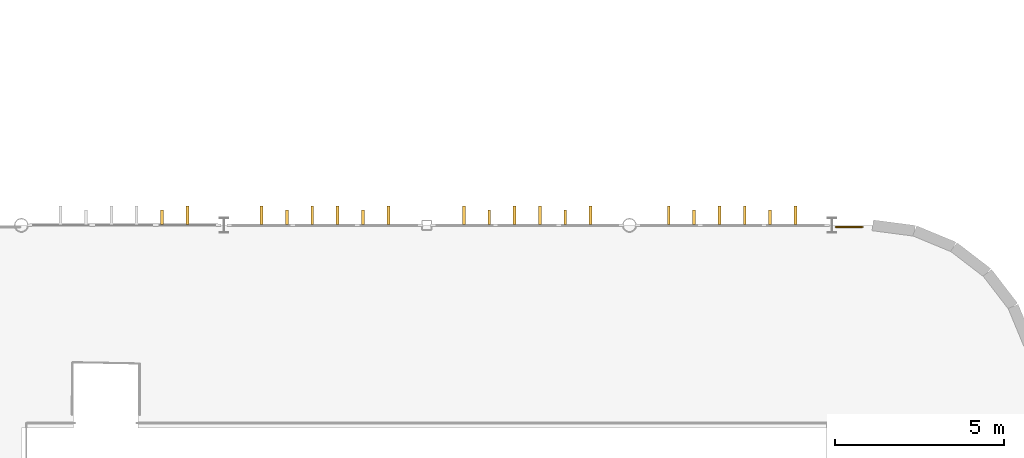
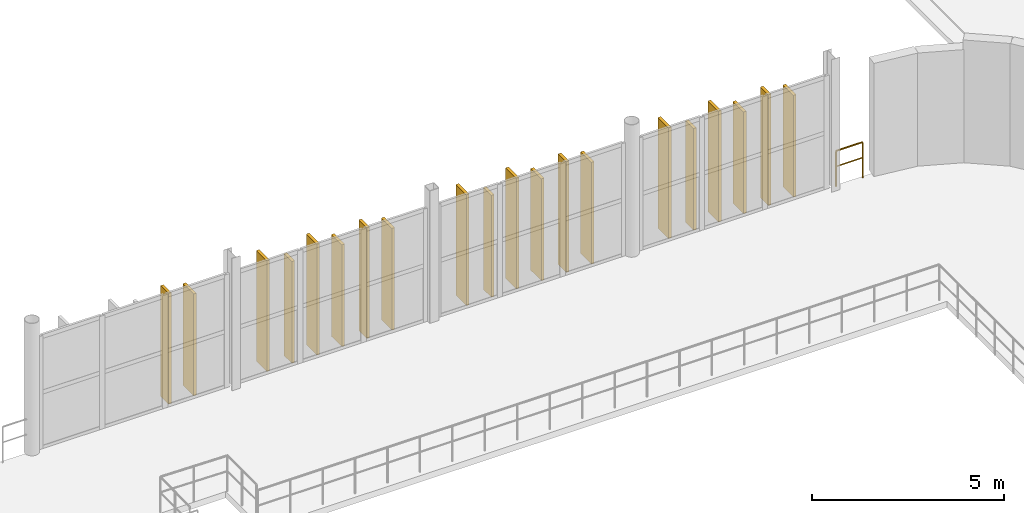
# One storey, part 80 of 83: 20 coverings, 1 railing.
"""IFC4 building model written with IfcOpenShell, lengths in metres."""

import ifcopenshell
import ifcopenshell.guid

model = None  # the IFC model being written
_history = None  # IfcOwnerHistory: only IFC2X3 demands one
_inside = {}  # id of a spatial element -> (the spatial element, [elements in it])
_under = {}  # id of a project, library or spatial element -> (it, [spatial elements below it])
_declared = {}  # id of a project -> (the project, [libraries it declares])
_typed = {}  # id of a type object -> (the type object, [elements of that type])
_made_of = {}  # id of a material, layer set ... -> (it, [elements and type objects made of it])


def new_model(schema):
    """Start an empty IFC model of exactly this schema.

    Asked for "IFC4X3", IfcOpenShell would pick the latest addendum, in which some entities
    have other attributes; the version numbers below select the first issue.
    IFC2X3 requires an IfcOwnerHistory on every rooted entity: one is made here for all.
    """
    global model, _history
    if schema == "IFC4X3":
        model = ifcopenshell.file(schema_version=(4, 3, 0, 0))
    else:
        model = ifcopenshell.file(schema=schema)
    _inside.clear()
    _under.clear()
    _declared.clear()
    _typed.clear()
    _made_of.clear()
    _history = None
    if model.schema == "IFC2X3":
        org = make("IfcOrganization", Name="unknown")
        user = make(
            "IfcPersonAndOrganization",
            ThePerson=make("IfcPerson", FamilyName="unknown"),
            TheOrganization=org,
        )
        app = make(
            "IfcApplication",
            ApplicationDeveloper=org,
            Version="unknown",
            ApplicationFullName="unknown",
            ApplicationIdentifier="unknown",
        )
        _history = make(
            "IfcOwnerHistory",
            OwningUser=user,
            OwningApplication=app,
            ChangeAction="ADDED",
            CreationDate=0,
        )
    return model


def make(cls, **values):
    """One entity of the class cls with the attributes given. An attribute that is None is left unset."""
    return model.create_entity(
        cls, **{name: value for name, value in values.items() if value is not None}
    )


def rooted(cls, **values):
    """An entity with a GlobalId (a new one), such as an element, a storey or a relation."""
    return make(cls, GlobalId=ifcopenshell.guid.new(), OwnerHistory=_history, **values)


def si_unit(unit_type, name, prefix=None):
    """IfcSIUnit, for example si_unit("LENGTHUNIT", "METRE", prefix="MILLI")."""
    return make("IfcSIUnit", UnitType=unit_type, Prefix=prefix, Name=name)


def assignment(units):
    """IfcUnitAssignment: the units of a project."""
    return None if units is None else make("IfcUnitAssignment", Units=units)


def point(xyz):
    """IfcCartesianPoint."""
    return None if xyz is None else make("IfcCartesianPoint", Coordinates=xyz)


def direction(xyz):
    """IfcDirection."""
    return None if xyz is None else make("IfcDirection", DirectionRatios=xyz)


def frame(location, z_axis=None, x_axis=None):
    """IfcAxis2Placement3D, a coordinate frame: its origin and axes. An axis left out is left unset."""
    return make(
        "IfcAxis2Placement3D",
        Location=point(location),
        Axis=direction(z_axis),
        RefDirection=direction(x_axis),
    )


def frame_2d(location, x_axis=None):
    """IfcAxis2Placement2D, a coordinate frame in the plane: its origin and x axis."""
    return make(
        "IfcAxis2Placement2D", Location=point(location), RefDirection=direction(x_axis)
    )


def origin():
    """The frame at (0, 0, 0) with its axes left unset."""
    return frame((0.0, 0.0, 0.0))


def origin_2d():
    """The frame at (0, 0) in the plane with its x axis left unset."""
    return frame_2d((0.0, 0.0))


def place(relative_to, where):
    """IfcLocalPlacement: puts the frame where relative to a parent placement (None: the world)."""
    return make(
        "IfcLocalPlacement", PlacementRelTo=relative_to, RelativePlacement=where
    )


def context(
    kind, dimensions, precision=None, world=None, true_north=None, identifier=None
):
    """IfcGeometricRepresentationContext, for example the 3D "Model" context."""
    return make(
        "IfcGeometricRepresentationContext",
        ContextIdentifier=identifier,
        ContextType=kind,
        CoordinateSpaceDimension=dimensions,
        Precision=precision,
        WorldCoordinateSystem=world,
        TrueNorth=true_north,
    )


def subcontext(parent, identifier, kind, view, scale=None):
    """IfcGeometricRepresentationSubContext, for example "Body" below "Model"."""
    return make(
        "IfcGeometricRepresentationSubContext",
        ContextIdentifier=identifier,
        ContextType=kind,
        ParentContext=parent,
        TargetScale=scale,
        TargetView=view,
    )


def project(units=None, contexts=None):
    """IfcProject with its units and contexts."""
    return rooted(
        "IfcProject",
        Name="project",
        RepresentationContexts=contexts,
        UnitsInContext=assignment(units),
    )


def spatial(cls, under=None, at=None, **own):
    """A site, building, storey or space (cls), placed at a placement, below another one or the project."""
    s = rooted(cls, ObjectPlacement=at, **own)
    if under is not None:
        _under.setdefault(under.id(), (under, []))[1].append(s)
    return s


def profile(cls, at=None, kind="AREA", **sizes):
    """A parametric profile (cls). Its sizes go by their IFC names, for example OverallWidth=200.0."""
    return make(cls, ProfileType=kind, Position=at, **sizes)


def rectangle(**sizes):
    """IfcRectangleProfileDef."""
    return profile("IfcRectangleProfileDef", **sizes)


def circle(**sizes):
    """IfcCircleProfileDef."""
    return profile("IfcCircleProfileDef", **sizes)


def extrude(swept, where, along, depth):
    """IfcExtrudedAreaSolid: the profile swept, set in the frame where, extruded along a direction by depth."""
    return make(
        "IfcExtrudedAreaSolid",
        SweptArea=swept,
        Position=where,
        ExtrudedDirection=direction(along),
        Depth=depth,
    )


def shape(context_of_items, identifier, shape_type, items):
    """IfcShapeRepresentation: the items that make up one representation, for example the "Body"."""
    return make(
        "IfcShapeRepresentation",
        ContextOfItems=context_of_items,
        RepresentationIdentifier=identifier,
        RepresentationType=shape_type,
        Items=items,
    )


def material(Name=None, Category=None):
    """IfcMaterial."""
    return make("IfcMaterial", Name=Name, Category=Category)


def layer(
    of_material, thickness, ventilated=None, Name=None, Category=None, Priority=None
):
    """IfcMaterialLayer: one layer of a wall or slab, of a material (None: an air gap)."""
    return make(
        "IfcMaterialLayer",
        Material=of_material,
        LayerThickness=thickness,
        IsVentilated=ventilated,
        Name=Name,
        Category=Category,
        Priority=Priority,
    )


def layer_set(layers, Name=None):
    """IfcMaterialLayerSet."""
    return make("IfcMaterialLayerSet", MaterialLayers=layers, LayerSetName=Name)


def made_of(thing, what):
    """Note that an element or type object is made of a material, layer set ...; save() writes the relation."""
    if what is not None:
        _made_of.setdefault(what.id(), (what, []))[1].append(thing)
    return thing


def type_object(cls, material=None, **own):
    """A type object (cls), such as IfcWallType, which elements share."""
    return made_of(rooted(cls, **own), material)


def element(
    cls,
    number,
    at=None,
    inside=None,
    cuts=None,
    type_object=None,
    material=None,
    context=None,
    identifier="Body",
    shape_type=None,
    held_by="IfcProductDefinitionShape",
    body=None,
    shapes=None,
    **own,
):
    """One element of the class cls, such as IfcWall. Its Tag is "e" and its number.

    at: its placement. inside: the storey or other place that contains it. cuts: it is an
    opening in that element (IfcRelVoidsElement). A single representation is given by context,
    identifier, shape_type and body (its items); several are given by shapes. held_by: the class
    of the entity that holds the representations. save() writes the other relations.
    """
    e = rooted(cls, Tag="e%d" % number, ObjectPlacement=at, **own)
    if body is not None:
        shapes = [shape(context, identifier, shape_type, body)]
    if shapes is not None:
        e.Representation = make(held_by, Representations=shapes)
    if inside is not None:
        _inside.setdefault(inside.id(), (inside, []))[1].append(e)
    if cuts is not None:
        rooted(
            "IfcRelVoidsElement", RelatingBuildingElement=cuts, RelatedOpeningElement=e
        )
    if type_object is not None:
        _typed.setdefault(type_object.id(), (type_object, []))[1].append(e)
    return made_of(e, material)


def aggregate(whole, parts):
    """IfcRelAggregates: a whole, such as a stair, and the parts it consists of."""
    return rooted("IfcRelAggregates", RelatingObject=whole, RelatedObjects=parts)


def save(model, path):
    """Write the relations noted so far, then the file.

    IfcRelAggregates (storeys below a building ...), IfcRelContainedInSpatialStructure (elements
    in a storey), IfcRelDefinesByType, IfcRelAssociatesMaterial and IfcRelDeclares: one each for
    every whole, place, type object, material and project.
    """
    for whole, parts in _under.values():
        aggregate(whole, parts)
    for where, things in _inside.values():
        rooted(
            "IfcRelContainedInSpatialStructure",
            RelatedElements=things,
            RelatingStructure=where,
        )
    for kind, things in _typed.values():
        rooted("IfcRelDefinesByType", RelatedObjects=things, RelatingType=kind)
    for what, things in _made_of.values():
        rooted("IfcRelAssociatesMaterial", RelatedObjects=things, RelatingMaterial=what)
    for by, libraries in _declared.values():
        rooted("IfcRelDeclares", RelatingContext=by, RelatedDefinitions=libraries)
    model.write(path)


model = new_model("IFC4")

# Units and contexts
model_context = context("Model", 3, precision=1e-05, world=origin(), true_north=direction((0.0, 1.0)))
body_context = subcontext(model_context, "Body", "Model", "MODEL_VIEW")
ifc_project = project(units=[si_unit("LENGTHUNIT", "METRE"), si_unit("AREAUNIT", "SQUARE_METRE"), si_unit("VOLUMEUNIT", "CUBIC_METRE"), si_unit("PLANEANGLEUNIT", "RADIAN"), si_unit("MASSUNIT", "GRAM", prefix="KILO")], contexts=[model_context])

# Site, building, storey
site_placement = place(None, origin())
site = spatial("IfcSite", under=ifc_project, at=site_placement, CompositionType="ELEMENT")
building_placement = place(site_placement, origin())
building = spatial("IfcBuilding", under=site, at=building_placement, Name="Varnakota Square Police Headquarters", CompositionType="ELEMENT")
storey_placement = place(building_placement, frame((0.0, 0.0, 18.0)))
storey = spatial("IfcBuildingStorey", under=building, at=storey_placement, Name="L04", CompositionType="ELEMENT", Elevation=18.0)

# Coverings
ifc_material_1 = material(Name="White Anodised Aluminium Vertical Facade Blade 420", Category="aluminium")
ifc_layer_1 = layer(ifc_material_1, 0.0849609375, Name="White Anodised Aluminium Vertical Facade Blade 420")
ifc_layer_set_1 = layer_set([ifc_layer_1], Name="White Anodised Aluminium Vertical Facade Blade 420")
covering_type_1 = type_object("IfcCoveringType", Name="COV-FIN-420", PredefinedType="CLADDING", material=ifc_layer_set_1)
covering_1_placement = place(storey_placement, frame((70.1640625, 99.237548828125, 0.0400390625), z_axis=(0.0, 0.0, 1.0), x_axis=(1.0, 0.0, 0.0)))
element("IfcCovering", 1, at=covering_1_placement, inside=storey, type_object=covering_type_1, Name="Vertical aluminium facade fin FIN-1401", PredefinedType="CLADDING", context=body_context, shape_type="SweptSolid", body=[
    extrude(rectangle(XDim=0.0849609375, YDim=0.419921875, at=origin_2d()), origin(), (0.0, 0.0, 1.0), 3.510009765625),
])
covering_2_placement = place(storey_placement, frame((73.862548828125, 99.237548828125, 0.0400390625), z_axis=(0.0, 0.0, 1.0), x_axis=(1.0, 0.0, 0.0)))
element("IfcCovering", 2, at=covering_2_placement, inside=storey, type_object=covering_type_1, Name="Vertical aluminium facade fin FIN-1404", PredefinedType="CLADDING", context=body_context, shape_type="SweptSolid", body=[
    extrude(rectangle(XDim=0.0849609375, YDim=0.419921875, at=origin_2d()), origin(), (0.0, 0.0, 1.0), 3.22998046875),
])
covering_3_placement = place(storey_placement, frame((76.112548828125, 99.237548828125, 0.0400390625), z_axis=(0.0, 0.0, 1.0), x_axis=(1.0, 0.0, 0.0)))
element("IfcCovering", 3, at=covering_3_placement, inside=storey, type_object=covering_type_1, Name="Vertical aluminium facade fin FIN-1407", PredefinedType="CLADDING", context=body_context, shape_type="SweptSolid", body=[
    extrude(rectangle(XDim=0.0849609375, YDim=0.419921875, at=origin_2d()), origin(), (0.0, 0.0, 1.0), 3.510009765625),
])
covering_4_placement = place(storey_placement, frame((79.848388671875, 99.237548828125, 0.0400390625), z_axis=(0.0, 0.0, 1.0), x_axis=(1.0, 0.0, 0.0)))
element("IfcCovering", 4, at=covering_4_placement, inside=storey, type_object=covering_type_1, Name="Vertical aluminium facade fin FIN-1410", PredefinedType="CLADDING", context=body_context, shape_type="SweptSolid", body=[
    extrude(rectangle(XDim=0.0849609375, YDim=0.419921875, at=origin_2d()), origin(), (0.0, 0.0, 1.0), 3.22998046875),
])
covering_5_placement = place(storey_placement, frame((82.098388671875, 99.237548828125, 0.0400390625), z_axis=(0.0, 0.0, 1.0), x_axis=(1.0, 0.0, 0.0)))
element("IfcCovering", 5, at=covering_5_placement, inside=storey, type_object=covering_type_1, Name="Vertical aluminium facade fin FIN-1413", PredefinedType="CLADDING", context=body_context, shape_type="SweptSolid", body=[
    extrude(rectangle(XDim=0.0849609375, YDim=0.419921875, at=origin_2d()), origin(), (0.0, 0.0, 1.0), 3.510009765625),
])
covering_6_placement = place(storey_placement, frame((85.9140625, 99.237548828125, 0.0400390625), z_axis=(0.0, 0.0, 1.0), x_axis=(1.0, 0.0, 0.0)))
element("IfcCovering", 6, at=covering_6_placement, inside=storey, type_object=covering_type_1, Name="Vertical aluminium facade fin FIN-1416", PredefinedType="CLADDING", context=body_context, shape_type="SweptSolid", body=[
    extrude(rectangle(XDim=0.0849609375, YDim=0.419921875, at=origin_2d()), origin(), (0.0, 0.0, 1.0), 3.22998046875),
])
covering_7_placement = place(storey_placement, frame((88.1640625, 99.237548828125, 0.0400390625), z_axis=(0.0, 0.0, 1.0), x_axis=(1.0, 0.0, 0.0)))
element("IfcCovering", 7, at=covering_7_placement, inside=storey, type_object=covering_type_1, Name="Vertical aluminium facade fin FIN-1419", PredefinedType="CLADDING", context=body_context, shape_type="SweptSolid", body=[
    extrude(rectangle(XDim=0.0849609375, YDim=0.419921875, at=origin_2d()), origin(), (0.0, 0.0, 1.0), 3.510009765625),
])
ifc_material_2 = material(Name="White Anodised Aluminium Vertical Facade Blade 550", Category="aluminium")
ifc_layer_2 = layer(ifc_material_2, 0.0849609375, Name="White Anodised Aluminium Vertical Facade Blade 550")
ifc_layer_set_2 = layer_set([ifc_layer_2], Name="White Anodised Aluminium Vertical Facade Blade 550")
covering_type_2 = type_object("IfcCoveringType", Name="COV-FIN-550", PredefinedType="CLADDING", material=ifc_layer_set_2)
covering_8_placement = place(storey_placement, frame((70.9140625, 99.302490234375, 0.0400390625), z_axis=(0.0, 0.0, 1.0), x_axis=(1.0, 0.0, 0.0)))
element("IfcCovering", 8, at=covering_8_placement, inside=storey, type_object=covering_type_2, Name="Vertical aluminium facade fin FIN-1402", PredefinedType="CLADDING", context=body_context, shape_type="SweptSolid", body=[
    extrude(rectangle(XDim=0.0849609375, YDim=0.550048828125, at=origin_2d()), origin(), (0.0, 0.0, 1.0), 3.22998046875),
])
for number, where, z_axis, x_axis, name in (
    (9, (73.112548828125, 99.302490234375, 0.0400390625), (0.0, 0.0, 1.0), (1.0, 0.0, 0.0), "Vertical aluminium facade fin FIN-1403"),
    (10, (74.612548828125, 99.302490234375, 0.0400390625), (0.0, 0.0, 1.0), (1.0, 0.0, 0.0), "Vertical aluminium facade fin FIN-1405"),
):
    element("IfcCovering", number, at=place(storey_placement, frame(where, z_axis=z_axis, x_axis=x_axis)), inside=storey, type_object=covering_type_2, Name=name, PredefinedType="CLADDING", context=body_context, shape_type="SweptSolid", body=[
        extrude(rectangle(XDim=0.0849609375, YDim=0.550048828125, at=origin_2d()), origin(), (0.0, 0.0, 1.0), 3.510009765625),
    ])
for number, where, z_axis, x_axis, name in (
    (11, (75.362548828125, 99.302490234375, 0.0400390625), (0.0, 0.0, 1.0), (1.0, 0.0, 0.0), "Vertical aluminium facade fin FIN-1406"),
    (12, (76.862548828125, 99.302490234375, 0.0400390625), (0.0, 0.0, 1.0), (1.0, 0.0, 0.0), "Vertical aluminium facade fin FIN-1408"),
):
    element("IfcCovering", number, at=place(storey_placement, frame(where, z_axis=z_axis, x_axis=x_axis)), inside=storey, type_object=covering_type_2, Name=name, PredefinedType="CLADDING", context=body_context, shape_type="SweptSolid", body=[
        extrude(rectangle(XDim=0.0849609375, YDim=0.550048828125, at=origin_2d()), origin(), (0.0, 0.0, 1.0), 3.22998046875),
    ])
for number, where, z_axis, x_axis, name in (
    (13, (79.098388671875, 99.302490234375, 0.0400390625), (0.0, 0.0, 1.0), (1.0, 0.0, 0.0), "Vertical aluminium facade fin FIN-1409"),
    (14, (80.598388671875, 99.302490234375, 0.0400390625), (0.0, 0.0, 1.0), (1.0, 0.0, 0.0), "Vertical aluminium facade fin FIN-1411"),
):
    element("IfcCovering", number, at=place(storey_placement, frame(where, z_axis=z_axis, x_axis=x_axis)), inside=storey, type_object=covering_type_2, Name=name, PredefinedType="CLADDING", context=body_context, shape_type="SweptSolid", body=[
        extrude(rectangle(XDim=0.0849609375, YDim=0.550048828125, at=origin_2d()), origin(), (0.0, 0.0, 1.0), 3.510009765625),
    ])
for number, where, z_axis, x_axis, name in (
    (15, (81.348388671875, 99.302490234375, 0.0400390625), (0.0, 0.0, 1.0), (1.0, 0.0, 0.0), "Vertical aluminium facade fin FIN-1412"),
    (16, (82.848388671875, 99.302490234375, 0.0400390625), (0.0, 0.0, 1.0), (1.0, 0.0, 0.0), "Vertical aluminium facade fin FIN-1414"),
):
    element("IfcCovering", number, at=place(storey_placement, frame(where, z_axis=z_axis, x_axis=x_axis)), inside=storey, type_object=covering_type_2, Name=name, PredefinedType="CLADDING", context=body_context, shape_type="SweptSolid", body=[
        extrude(rectangle(XDim=0.0849609375, YDim=0.550048828125, at=origin_2d()), origin(), (0.0, 0.0, 1.0), 3.22998046875),
    ])
for number, where, z_axis, x_axis, name in (
    (17, (85.1640625, 99.302490234375, 0.0400390625), (0.0, 0.0, 1.0), (1.0, 0.0, 0.0), "Vertical aluminium facade fin FIN-1415"),
    (18, (86.6640625, 99.302490234375, 0.0400390625), (0.0, 0.0, 1.0), (1.0, 0.0, 0.0), "Vertical aluminium facade fin FIN-1417"),
):
    element("IfcCovering", number, at=place(storey_placement, frame(where, z_axis=z_axis, x_axis=x_axis)), inside=storey, type_object=covering_type_2, Name=name, PredefinedType="CLADDING", context=body_context, shape_type="SweptSolid", body=[
        extrude(rectangle(XDim=0.0849609375, YDim=0.550048828125, at=origin_2d()), origin(), (0.0, 0.0, 1.0), 3.510009765625),
    ])
for number, where, z_axis, x_axis, name in (
    (19, (87.4140625, 99.302490234375, 0.0400390625), (0.0, 0.0, 1.0), (1.0, 0.0, 0.0), "Vertical aluminium facade fin FIN-1418"),
    (20, (88.9140625, 99.302490234375, 0.0400390625), (0.0, 0.0, 1.0), (1.0, 0.0, 0.0), "Vertical aluminium facade fin FIN-1420"),
):
    element("IfcCovering", number, at=place(storey_placement, frame(where, z_axis=z_axis, x_axis=x_axis)), inside=storey, type_object=covering_type_2, Name=name, PredefinedType="CLADDING", context=body_context, shape_type="SweptSolid", body=[
        extrude(rectangle(XDim=0.0849609375, YDim=0.550048828125, at=origin_2d()), origin(), (0.0, 0.0, 1.0), 3.22998046875),
    ])

# Railing
ifc_material_3 = material(Name="Galvanised Powder-Coated Steel Guardrail", Category="steel")
railing_type = type_object("IfcRailingType", Name="RL-BAL-1150", PredefinedType="BALUSTRADE", material=ifc_material_3)
railing_placement = place(storey_placement, frame((90.1044921875, 98.949951171875, 0.0)))
element("IfcRailing", 21, at=railing_placement, inside=storey, type_object=railing_type, Name="Perimeter edge safety guard GD-AUTO-L04-082", PredefinedType="BALUSTRADE", context=body_context, shape_type="SweptSolid", body=[
    extrude(circle(Radius=0.02392578125, at=origin_2d()), frame((0.0, 0.0, 1.1259765625), z_axis=(1.0, 0.0, 0.0), x_axis=(0.0, 1.0, 0.0)), (0.0, 0.0, 1.0), 0.7998046875),
    extrude(circle(Radius=0.01806640625, at=origin_2d()), frame((0.0, 0.0, 0.63232421875), z_axis=(1.0, 0.0, 0.0), x_axis=(0.0, 1.0, 0.0)), (0.0, 0.0, 1.0), 0.7998046875),
    extrude(circle(Radius=0.02099609375, at=origin_2d()), origin(), (0.0, 0.0, 1.0), 1.101806640625),
    extrude(circle(Radius=0.02099609375, at=origin_2d()), frame((0.7998046875, 0.0, 0.0)), (0.0, 0.0, 1.0), 1.101806640625),
])

save(model, "model.ifc")
